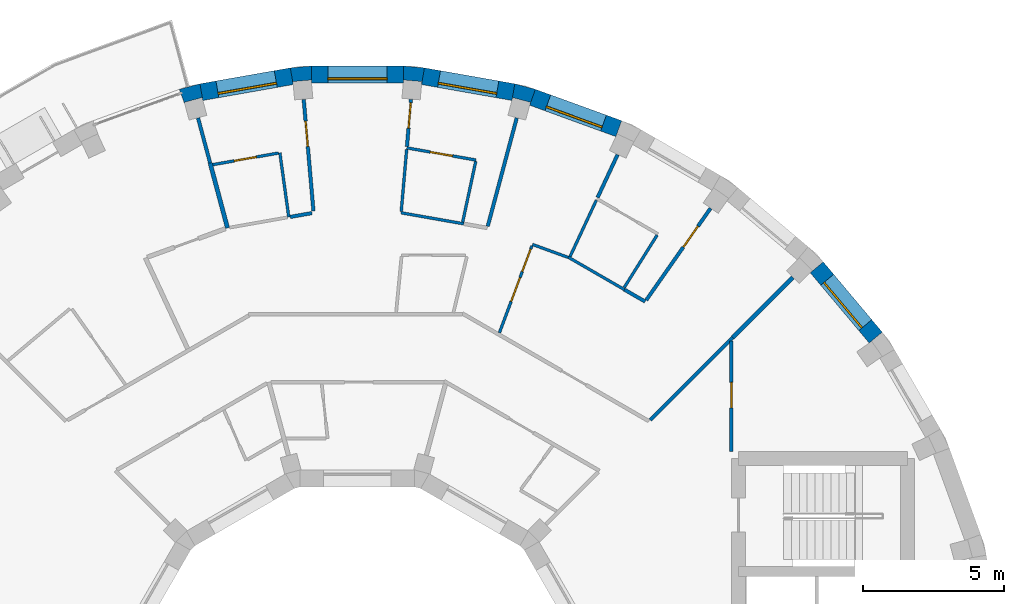
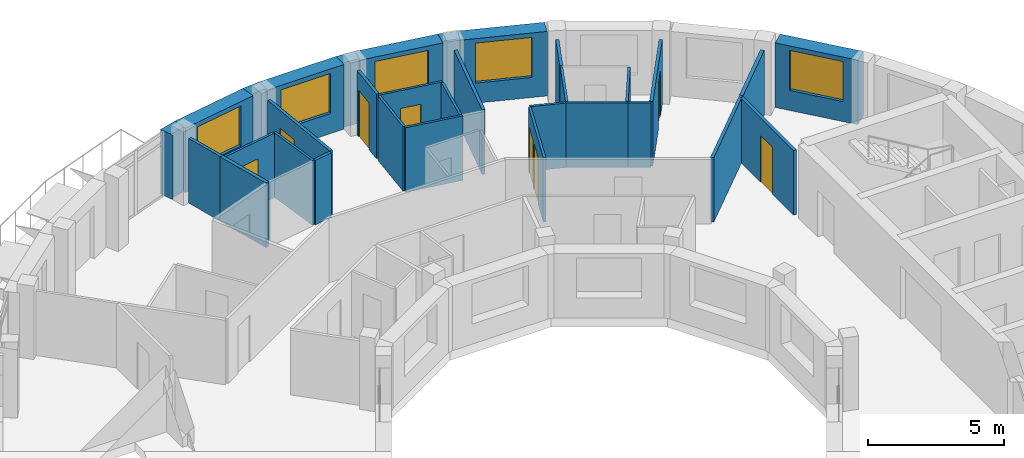
# One storey, part 10 of 12: 32 walls, 8 doors, 5 windows, 13 openings.
"""IFC4 building model written with IfcOpenShell, lengths in metres."""

from ifc_helpers import new_model, si_unit, direction, frame, frame_2d, origin, place, context, subcontext, project, spatial, polyline, rectangle, outline, extrude, material, layer, layer_set, type_object, element, fill, save


model = new_model("IFC4")

# Units and contexts
model_context = context("Model", 3, precision=1e-05, world=origin(), true_north=direction((0.0, 1.0)))
body_context = subcontext(model_context, "Body", "Model", "MODEL_VIEW")
ifc_project = project(units=[si_unit("LENGTHUNIT", "METRE"), si_unit("AREAUNIT", "SQUARE_METRE"), si_unit("VOLUMEUNIT", "CUBIC_METRE"), si_unit("PLANEANGLEUNIT", "RADIAN"), si_unit("MASSUNIT", "GRAM", prefix="KILO")], contexts=[model_context])

# Site, building, storey
site_placement = place(None, origin())
site = spatial("IfcSite", under=ifc_project, at=site_placement, CompositionType="ELEMENT")
building_placement = place(site_placement, origin())
building = spatial("IfcBuilding", under=site, at=building_placement, Name="Saqina Gate Tower", CompositionType="ELEMENT")
storey_placement = place(building_placement, frame((0.0, 0.0, 233.0)))
storey = spatial("IfcBuildingStorey", under=building, at=storey_placement, Name="L66", CompositionType="ELEMENT", Elevation=233.0)

# Walls
ifc_material_1 = material(Name="Brick masonry (buff)", Category="masonry")
wall_type_1 = type_object("IfcWallType", Name="BRICK PIER COPING BUFF", PredefinedType="SOLIDWALL", material=ifc_material_1)
wall_1_placement = place(storey_placement, origin())
element("IfcWall", 1, at=wall_1_placement, inside=storey, type_object=wall_type_1, Name="Pier cap L66 column 8", PredefinedType="SOLIDWALL", context=body_context, shape_type="SweptSolid", body=[
    extrude(outline(polyline([(5.579833984375, 22.281982421875), (5.4755859375, 21.691162109375), (5.5029296875, 21.793212890625), (6.130859375, 21.625), (6.103515625, 21.52294921875), (6.30859375, 22.0869140625), (5.579833984375, 22.281982421875)])), origin(), (0.0, 0.0, 1.0), 2.89990234375),
])
wall_2_placement = place(storey_placement, origin())
element("IfcWall", 2, at=wall_2_placement, inside=storey, type_object=wall_type_1, Name="Pier cap L66 column 9", PredefinedType="SOLIDWALL", context=body_context, shape_type="SweptSolid", body=[
    extrude(outline(polyline([(2.377685546875, 22.8466796875), (1.625732421875, 22.91259765625), (1.625732421875, 22.3125), (1.635009765625, 22.417724609375), (2.28271484375, 22.361083984375), (2.2734375, 22.255859375), (2.377685546875, 22.8466796875)])), origin(), (0.0, 0.0, 1.0), 2.89990234375),
])
wall_3_placement = place(storey_placement, origin())
element("IfcWall", 3, at=wall_3_placement, inside=storey, type_object=wall_type_1, Name="Pier cap L66 column 10", PredefinedType="SOLIDWALL", context=body_context, shape_type="SweptSolid", body=[
    extrude(outline(polyline([(-1.625732421875, 22.91259765625), (-2.377685546875, 22.8466796875), (-2.2734375, 22.255859375), (-2.28271484375, 22.361083984375), (-1.635009765625, 22.417724609375), (-1.625732421875, 22.3125), (-1.625732421875, 22.91259765625)])), origin(), (0.0, 0.0, 1.0), 2.89990234375),
])
wall_4_placement = place(storey_placement, origin())
element("IfcWall", 4, at=wall_4_placement, inside=storey, type_object=wall_type_1, Name="Pier cap L66 column 11", PredefinedType="SOLIDWALL", context=body_context, shape_type="SweptSolid", body=[
    extrude(outline(polyline([(-6.30859375, 22.0869140625), (-6.103515625, 21.52294921875), (-6.130859375, 21.625), (-5.5029296875, 21.793212890625), (-5.4755859375, 21.691162109375), (-5.579833984375, 22.281982421875), (-6.30859375, 22.0869140625)])), origin(), (0.0, 0.0, 1.0), 2.89990234375),
])

# Wall, opening, window
ifc_material_2 = material(Name="Brick masonry (buff)", Category="masonry")
ifc_layer_1 = layer(ifc_material_2, 0.60009765625)
ifc_layer_set_1 = layer_set([ifc_layer_1], Name="FW-BRICK-BUFF")
wall_type_2 = type_object("IfcWallType", Name="FW-BRICK-BUFF", PredefinedType="SOLIDWALL", material=ifc_layer_set_1)
wall_5_placement = place(storey_placement, frame((18.3671875, 13.28955078125, 0.0), z_axis=(0.0, 0.0, 1.0), x_axis=(-0.64277291405, 0.766056773982, 0.0)))
wall_5 = element("IfcWall", 5, at=wall_5_placement, inside=storey, type_object=wall_type_2, Name="Facade wall L66 facet 4", PredefinedType="SOLIDWALL", context=body_context, shape_type="SweptSolid", body=[
    extrude(rectangle(XDim=3.251708984375, YDim=0.60009765625, at=frame_2d((1.6259765625, 0.0))), origin(), (0.0, 0.0, 1.0), 2.89990234375),
])
opening_1_placement = place(wall_5_placement, frame((0.57568359375, 0.0, 0.89990234375)))
opening_1 = element("IfcOpeningElement", 6, at=opening_1_placement, cuts=wall_5, Name="Opening G19-W02", PredefinedType="OPENING", context=body_context, shape_type="SweptSolid", body=[
    extrude(rectangle(XDim=2.10009765625, YDim=1.800048828125, at=frame_2d((1.050048828125, 0.89990234375))), frame((0.0, 0.31201171875, 0.0), z_axis=(0.0, -1.0, 0.0), x_axis=(1.0, 0.0, 0.0)), (0.0, 0.0, 1.0), 0.6240234375),
])
ifc_material_3 = material(Name="Aluminium glazing", Category="aluminium")
window_type = type_object("IfcWindowType", Name="WN-D", PartitioningType="SINGLE_PANEL", PredefinedType="WINDOW", material=ifc_material_3)
window_1_placement = place(opening_1_placement, origin())
window_1 = element("IfcWindow", 7, at=window_1_placement, inside=storey, type_object=window_type, Name="Window L66 facet 4", OverallHeight=1.800048828125, OverallWidth=2.10009765625, PartitioningType="SINGLE_PANEL", PredefinedType="WINDOW", context=body_context, shape_type="SweptSolid", body=[
    extrude(rectangle(XDim=2.10009765625, YDim=1.800048828125, at=frame_2d((1.050048828125, 0.89990234375))), frame((0.0, 0.179931640625, 0.0), z_axis=(0.0, -1.0, 0.0), x_axis=(1.0, 0.0, 0.0)), (0.0, 0.0, 1.0), 0.06005859375),
])
fill(opening_1, window_1)

wall_6_placement = place(storey_placement, frame((9.26171875, 20.692626953125, 0.0), z_axis=(0.0, 0.0, 1.0), x_axis=(-0.939679383794, 0.342056509473, 0.0)))
wall_6 = element("IfcWall", 8, at=wall_6_placement, inside=storey, type_object=wall_type_2, Name="Facade wall L66 facet 7", PredefinedType="SOLIDWALL", context=body_context, shape_type="SweptSolid", body=[
    extrude(rectangle(XDim=3.251708984375, YDim=0.60009765625, at=frame_2d((1.6259765625, 0.0))), origin(), (0.0, 0.0, 1.0), 2.89990234375),
])
opening_2_placement = place(wall_6_placement, frame((0.57568359375, 0.0, 0.89990234375)))
opening_2 = element("IfcOpeningElement", 9, at=opening_2_placement, cuts=wall_6, Name="Opening G19-W05", PredefinedType="OPENING", context=body_context, shape_type="SweptSolid", body=[
    extrude(rectangle(XDim=2.10009765625, YDim=1.800048828125, at=frame_2d((1.050048828125, 0.89990234375))), frame((0.0, 0.31201171875, 0.0), z_axis=(0.0, -1.0, 0.0), x_axis=(1.0, 0.0, 0.0)), (0.0, 0.0, 1.0), 0.6240234375),
])
window_2_placement = place(opening_2_placement, origin())
window_2 = element("IfcWindow", 10, at=window_2_placement, inside=storey, type_object=window_type, Name="Window L66 facet 7", OverallHeight=1.800048828125, OverallWidth=2.10009765625, PartitioningType="SINGLE_PANEL", PredefinedType="WINDOW", context=body_context, shape_type="SweptSolid", body=[
    extrude(rectangle(XDim=2.10009765625, YDim=1.800048828125, at=frame_2d((1.050048828125, 0.89990234375))), frame((0.0, 0.179931640625, 0.0), z_axis=(0.0, -1.0, 0.0), x_axis=(1.0, 0.0, 0.0)), (0.0, 0.0, 1.0), 0.06005859375),
])
fill(opening_2, window_2)

wall_7_placement = place(storey_placement, frame((5.52783203125, 21.986572265625, 0.0), z_axis=(0.0, 0.0, 1.0), x_axis=(-0.984806225186, 0.173656842178, 0.0)))
wall_7 = element("IfcWall", 11, at=wall_7_placement, inside=storey, type_object=wall_type_2, Name="Facade wall L66 facet 8", PredefinedType="SOLIDWALL", context=body_context, shape_type="SweptSolid", body=[
    extrude(rectangle(XDim=3.251708984375, YDim=0.60009765625, at=frame_2d((1.6259765625, 0.0))), origin(), (0.0, 0.0, 1.0), 2.89990234375),
])
opening_3_placement = place(wall_7_placement, frame((0.57568359375, 0.0, 0.89990234375)))
opening_3 = element("IfcOpeningElement", 12, at=opening_3_placement, cuts=wall_7, Name="Opening G19-W06", PredefinedType="OPENING", context=body_context, shape_type="SweptSolid", body=[
    extrude(rectangle(XDim=2.10009765625, YDim=1.800048828125, at=frame_2d((1.050048828125, 0.89990234375))), frame((0.0, 0.31201171875, 0.0), z_axis=(0.0, -1.0, 0.0), x_axis=(1.0, 0.0, 0.0)), (0.0, 0.0, 1.0), 0.6240234375),
])
window_3_placement = place(opening_3_placement, origin())
window_3 = element("IfcWindow", 13, at=window_3_placement, inside=storey, type_object=window_type, Name="Window L66 facet 8", OverallHeight=1.800048828125, OverallWidth=2.10009765625, PartitioningType="SINGLE_PANEL", PredefinedType="WINDOW", context=body_context, shape_type="SweptSolid", body=[
    extrude(rectangle(XDim=2.10009765625, YDim=1.800048828125, at=frame_2d((1.050048828125, 0.89990234375))), frame((0.0, 0.179931640625, 0.0), z_axis=(0.0, -1.0, 0.0), x_axis=(1.0, 0.0, 0.0)), (0.0, 0.0, 1.0), 0.06005859375),
])
fill(opening_3, window_3)

wall_8_placement = place(storey_placement, frame((1.625732421875, 22.612548828125, 0.0), z_axis=(0.0, 0.0, 1.0), x_axis=(-1.0, 0.0, 0.0)))
wall_8 = element("IfcWall", 14, at=wall_8_placement, inside=storey, type_object=wall_type_2, Name="Facade wall L66 facet 9", PredefinedType="SOLIDWALL", context=body_context, shape_type="SweptSolid", body=[
    extrude(rectangle(XDim=3.25146484375, YDim=0.60009765625, at=frame_2d((1.625732421875, 0.0))), origin(), (0.0, 0.0, 1.0), 2.89990234375),
])
opening_4_placement = place(wall_8_placement, frame((0.57568359375, 0.0, 0.89990234375)))
opening_4 = element("IfcOpeningElement", 15, at=opening_4_placement, cuts=wall_8, Name="Opening G19-W07", PredefinedType="OPENING", context=body_context, shape_type="SweptSolid", body=[
    extrude(rectangle(XDim=2.10009765625, YDim=1.800048828125, at=frame_2d((1.050048828125, 0.89990234375))), frame((0.0, 0.31201171875, 0.0), z_axis=(0.0, -1.0, 0.0), x_axis=(1.0, 0.0, 0.0)), (0.0, 0.0, 1.0), 0.6240234375),
])
window_4_placement = place(opening_4_placement, origin())
window_4 = element("IfcWindow", 16, at=window_4_placement, inside=storey, type_object=window_type, Name="Window L66 facet 9", OverallHeight=1.800048828125, OverallWidth=2.10009765625, PartitioningType="SINGLE_PANEL", PredefinedType="WINDOW", context=body_context, shape_type="SweptSolid", body=[
    extrude(rectangle(XDim=2.10009765625, YDim=1.800048828125, at=frame_2d((1.050048828125, 0.89990234375))), frame((0.0, 0.179931640625, 0.0), z_axis=(0.0, -1.0, 0.0), x_axis=(1.0, 0.0, 0.0)), (0.0, 0.0, 1.0), 0.06005859375),
])
fill(opening_4, window_4)

wall_9_placement = place(storey_placement, frame((-2.325439453125, 22.55126953125, 0.0), z_axis=(0.0, 0.0, 1.0), x_axis=(-0.984806225186, -0.173656842178, 0.0)))
wall_9 = element("IfcWall", 17, at=wall_9_placement, inside=storey, type_object=wall_type_2, Name="Facade wall L66 facet 10", PredefinedType="SOLIDWALL", context=body_context, shape_type="SweptSolid", body=[
    extrude(rectangle(XDim=3.251708984375, YDim=0.60009765625, at=frame_2d((1.6259765625, 0.0))), origin(), (0.0, 0.0, 1.0), 2.89990234375),
])
opening_5_placement = place(wall_9_placement, frame((0.57568359375, 0.0, 0.89990234375)))
opening_5 = element("IfcOpeningElement", 18, at=opening_5_placement, cuts=wall_9, Name="Opening G19-W08", PredefinedType="OPENING", context=body_context, shape_type="SweptSolid", body=[
    extrude(rectangle(XDim=2.10009765625, YDim=1.800048828125, at=frame_2d((1.050048828125, 0.89990234375))), frame((0.0, 0.31201171875, 0.0), z_axis=(0.0, -1.0, 0.0), x_axis=(1.0, 0.0, 0.0)), (0.0, 0.0, 1.0), 0.6240234375),
])
window_5_placement = place(opening_5_placement, origin())
window_5 = element("IfcWindow", 19, at=window_5_placement, inside=storey, type_object=window_type, Name="Window L66 facet 10", OverallHeight=1.800048828125, OverallWidth=2.10009765625, PartitioningType="SINGLE_PANEL", PredefinedType="WINDOW", context=body_context, shape_type="SweptSolid", body=[
    extrude(rectangle(XDim=2.10009765625, YDim=1.800048828125, at=frame_2d((1.050048828125, 0.89990234375))), frame((0.0, 0.179931640625, 0.0), z_axis=(0.0, -1.0, 0.0), x_axis=(1.0, 0.0, 0.0)), (0.0, 0.0, 1.0), 0.06005859375),
])
fill(opening_5, window_5)

# Walls
ifc_material_4 = material(Name="Gypsum board on steel studs, 100 mm", Category="steel")
ifc_layer_2 = layer(ifc_material_4, 0.10009765625)
ifc_layer_set_2 = layer_set([ifc_layer_2], Name="PARTITION 100")
wall_type_3 = type_object("IfcWallType", Name="PARTITION 100", PredefinedType="PARTITIONING", material=ifc_layer_set_2)
wall_10_placement = place(storey_placement, frame((-2.7470703125, 19.8369140625, 0.0), z_axis=(0.0, 0.0, 1.0), x_axis=(0.137351585164, -0.990522358179, 0.0)))
element("IfcWall", 20, at=wall_10_placement, inside=storey, type_object=wall_type_3, Name="PARTITION PW3-02", PredefinedType="PARTITIONING", context=body_context, shape_type="SweptSolid", body=[
    extrude(rectangle(XDim=2.3017578125, YDim=0.10009765625, at=frame_2d((1.15087890625, 0.0))), origin(), (0.0, 0.0, 1.0), 2.89990234375),
])
wall_11_placement = place(storey_placement, frame((7.469970703125, 16.139404296875, 0.0), z_axis=(0.0, 0.0, 1.0), x_axis=(0.866070948836, -0.499921105357, 0.0)))
element("IfcWall", 21, at=wall_11_placement, inside=storey, type_object=wall_type_3, Name="PARTITION PW3-18", PredefinedType="PARTITIONING", context=body_context, shape_type="SweptSolid", body=[
    extrude(rectangle(XDim=2.304931640625, YDim=0.10009765625, at=frame_2d((1.15234375, 0.0))), origin(), (0.0, 0.0, 1.0), 2.89990234375),
])
wall_12_placement = place(storey_placement, frame((6.2041015625, 16.591064453125, 0.0), z_axis=(0.0, 0.0, 1.0), x_axis=(0.939623600186, -0.342209716364, 0.0)))
element("IfcWall", 22, at=wall_12_placement, inside=storey, type_object=wall_type_3, Name="PARTITION PW3-20", PredefinedType="PARTITIONING", context=body_context, shape_type="SweptSolid", body=[
    extrude(rectangle(XDim=1.343994140625, YDim=0.10009765625, at=frame_2d((0.671875, 0.0))), origin(), (0.0, 0.0, 1.0), 2.89990234375),
])
wall_13_placement = place(storey_placement, frame((1.550048828125, 17.7119140625, 0.0), z_axis=(0.0, 0.0, 1.0), x_axis=(0.984859814572, -0.173352662631, 0.0)))
element("IfcWall", 23, at=wall_13_placement, inside=storey, type_object=wall_type_3, Name="PARTITION PW3-23", PredefinedType="PARTITIONING", context=body_context, shape_type="SweptSolid", body=[
    extrude(rectangle(XDim=2.25341796875, YDim=0.10009765625, at=frame_2d((1.126708984375, 0.0))), origin(), (0.0, 0.0, 1.0), 2.89990234375),
])

# Wall, opening, door
wall_14_placement = place(storey_placement, frame((1.7509765625, 20.011962890625, 0.0), z_axis=(0.0, 0.0, 1.0), x_axis=(0.984838792384, -0.173472052547, 0.0)))
wall_14 = element("IfcWall", 24, at=wall_14_placement, inside=storey, type_object=wall_type_3, Name="PARTITION PW3-24", PredefinedType="PARTITIONING", context=body_context, shape_type="SweptSolid", body=[
    extrude(rectangle(XDim=2.48974609375, YDim=0.10009765625, at=frame_2d((1.244873046875, 0.0))), origin(), (0.0, 0.0, 1.0), 2.89990234375),
])
opening_6_placement = place(wall_14_placement, frame((0.844970703125, 0.0, 0.0)))
opening_6 = element("IfcOpeningElement", 25, at=opening_6_placement, cuts=wall_14, Name="Opening G19-D09", PredefinedType="OPENING", context=body_context, shape_type="SweptSolid", body=[
    extrude(rectangle(XDim=0.800048828125, YDim=2.10009765625, at=frame_2d((0.39990234375, 1.050048828125))), frame((0.0, 0.06201171875, 0.0), z_axis=(0.0, -1.0, 0.0), x_axis=(1.0, 0.0, 0.0)), (0.0, 0.0, 1.0), 0.1240234375),
])
ifc_material_5 = material(Name="Timber door leaf, 800 mm", Category="wood")
door_type_1 = type_object("IfcDoorType", Name="DOOR 800 TIMBER", OperationType="SINGLE_SWING_LEFT", PredefinedType="DOOR", material=ifc_material_5)
door_1_placement = place(opening_6_placement, origin())
door_1 = element("IfcDoor", 26, at=door_1_placement, inside=storey, type_object=door_type_1, Name="DOOR G19-D09", OperationType="SINGLE_SWING_RIGHT", OverallHeight=2.10009765625, OverallWidth=0.800048828125, PredefinedType="DOOR", context=body_context, shape_type="SweptSolid", body=[
    extrude(rectangle(XDim=0.800048828125, YDim=2.10009765625, at=frame_2d((0.39990234375, 1.050048828125))), frame((0.0, 0.02490234375, 0.0), z_axis=(0.0, -1.0, 0.0), x_axis=(1.0, 0.0, 0.0)), (0.0, 0.0, 1.0), 0.050048828125),
])
fill(opening_6, door_1)

wall_15_placement = place(storey_placement, frame((-5.125244140625, 19.4169921875, 0.0), z_axis=(0.0, 0.0, 1.0), x_axis=(0.984757568604, 0.173932547494, 0.0)))
wall_15 = element("IfcWall", 27, at=wall_15_placement, inside=storey, type_object=wall_type_3, Name="PARTITION PW3-30", PredefinedType="PARTITIONING", context=body_context, shape_type="SweptSolid", body=[
    extrude(rectangle(XDim=2.365234375, YDim=0.10009765625, at=frame_2d((1.1826171875, 0.0))), origin(), (0.0, 0.0, 1.0), 2.89990234375),
])
opening_7_placement = place(wall_15_placement, frame((0.77001953125, 0.0, 0.0)))
opening_7 = element("IfcOpeningElement", 28, at=opening_7_placement, cuts=wall_15, Name="Opening G19-D15", PredefinedType="OPENING", context=body_context, shape_type="SweptSolid", body=[
    extrude(rectangle(XDim=0.800048828125, YDim=2.10009765625, at=frame_2d((0.39990234375, 1.050048828125))), frame((0.0, 0.06201171875, 0.0), z_axis=(0.0, -1.0, 0.0), x_axis=(1.0, 0.0, 0.0)), (0.0, 0.0, 1.0), 0.1240234375),
])
door_2_placement = place(opening_7_placement, origin())
door_2 = element("IfcDoor", 29, at=door_2_placement, inside=storey, type_object=door_type_1, Name="DOOR G19-D15", OperationType="SINGLE_SWING_LEFT", OverallHeight=2.10009765625, OverallWidth=0.800048828125, PredefinedType="DOOR", context=body_context, shape_type="SweptSolid", body=[
    extrude(rectangle(XDim=0.800048828125, YDim=2.10009765625, at=frame_2d((0.39990234375, 1.050048828125))), frame((0.0, 0.02490234375, 0.0), z_axis=(0.0, -1.0, 0.0), x_axis=(1.0, 0.0, 0.0)), (0.0, 0.0, 1.0), 0.050048828125),
])
fill(opening_7, door_2)

# Walls
wall_16_placement = place(storey_placement, frame((9.456298828125, 15.06494140625, 0.0), z_axis=(0.0, 0.0, 1.0), x_axis=(0.531591455813, 0.847000899708, 0.0)))
element("IfcWall", 30, at=wall_16_placement, inside=storey, type_object=wall_type_3, Name="PARTITION PW3-41", PredefinedType="PARTITIONING", context=body_context, shape_type="SweptSolid", body=[
    extrude(rectangle(XDim=2.189697265625, YDim=0.10009765625, at=frame_2d((1.0947265625, 0.0))), origin(), (0.0, 0.0, 1.0), 2.89990234375),
])
wall_17_placement = place(storey_placement, frame((7.53515625, 16.159423828125, 0.0), z_axis=(0.0, 0.0, 1.0), x_axis=(0.422601095784, 0.906315791456, 0.0)))
element("IfcWall", 31, at=wall_17_placement, inside=storey, type_object=wall_type_3, Name="PARTITION PW3-44", PredefinedType="PARTITIONING", context=body_context, shape_type="SweptSolid", body=[
    extrude(rectangle(XDim=2.209228515625, YDim=0.10009765625, at=frame_2d((1.1044921875, 0.0))), origin(), (0.0, 0.0, 1.0), 2.89990234375),
])

# Wall, openings, doors
wall_18_placement = place(storey_placement, frame((5.031982421875, 13.45947265625, 0.0), z_axis=(0.0, 0.0, 1.0), x_axis=(0.350375066682, 0.936609477129, 0.0)))
wall_18 = element("IfcWall", 32, at=wall_18_placement, inside=storey, type_object=wall_type_3, Name="PARTITION PW3-47", PredefinedType="PARTITIONING", context=body_context, shape_type="SweptSolid", body=[
    extrude(rectangle(XDim=3.28955078125, YDim=0.10009765625, at=frame_2d((1.644775390625, 0.0))), origin(), (0.0, 0.0, 1.0), 2.89990234375),
])
opening_8_placement = place(wall_18_placement, frame((1.188720703125, 0.0, 0.0)))
opening_8 = element("IfcOpeningElement", 33, at=opening_8_placement, cuts=wall_18, Name="Opening G19-D07", PredefinedType="OPENING", context=body_context, shape_type="SweptSolid", body=[
    extrude(rectangle(XDim=0.89990234375, YDim=2.10009765625, at=frame_2d((0.449951171875, 1.050048828125))), frame((0.0, 0.06201171875, 0.0), z_axis=(0.0, -1.0, 0.0), x_axis=(1.0, 0.0, 0.0)), (0.0, 0.0, 1.0), 0.1240234375),
])
opening_9_placement = place(wall_18_placement, frame((2.313720703125, 0.0, 0.0)))
opening_9 = element("IfcOpeningElement", 34, at=opening_9_placement, cuts=wall_18, Name="Opening G19-D08", PredefinedType="OPENING", context=body_context, shape_type="SweptSolid", body=[
    extrude(rectangle(XDim=0.85009765625, YDim=2.10009765625, at=frame_2d((0.425048828125, 1.050048828125))), frame((0.0, 0.06201171875, 0.0), z_axis=(0.0, -1.0, 0.0), x_axis=(1.0, 0.0, 0.0)), (0.0, 0.0, 1.0), 0.1240234375),
])
ifc_material_6 = material(Name="Timber door leaf, 850 mm", Category="wood")
door_type_2 = type_object("IfcDoorType", Name="DOOR 850 TIMBER", OperationType="SINGLE_SWING_LEFT", PredefinedType="DOOR", material=ifc_material_6)
door_3_placement = place(opening_9_placement, origin())
door_3 = element("IfcDoor", 35, at=door_3_placement, inside=storey, type_object=door_type_2, Name="DOOR G19-D08", OperationType="SINGLE_SWING_RIGHT", OverallHeight=2.10009765625, OverallWidth=0.85009765625, PredefinedType="DOOR", context=body_context, shape_type="SweptSolid", body=[
    extrude(rectangle(XDim=0.85009765625, YDim=2.10009765625, at=frame_2d((0.425048828125, 1.050048828125))), frame((0.0, 0.02490234375, 0.0), z_axis=(0.0, -1.0, 0.0), x_axis=(1.0, 0.0, 0.0)), (0.0, 0.0, 1.0), 0.050048828125),
])
fill(opening_9, door_3)
ifc_material_7 = material(Name="Timber door leaf, 900 mm", Category="wood")
door_type_3 = type_object("IfcDoorType", Name="DOOR 900 TIMBER", OperationType="SINGLE_SWING_LEFT", PredefinedType="DOOR", material=ifc_material_7)
door_4_placement = place(opening_8_placement, origin())
door_4 = element("IfcDoor", 36, at=door_4_placement, inside=storey, type_object=door_type_3, Name="DOOR G19-D07", OperationType="SINGLE_SWING_LEFT", OverallHeight=2.10009765625, OverallWidth=0.89990234375, PredefinedType="DOOR", context=body_context, shape_type="SweptSolid", body=[
    extrude(rectangle(XDim=0.89990234375, YDim=2.10009765625, at=frame_2d((0.449951171875, 1.050048828125))), frame((0.0, 0.02490234375, 0.0), z_axis=(0.0, -1.0, 0.0), x_axis=(1.0, 0.0, 0.0)), (0.0, 0.0, 1.0), 0.050048828125),
])
fill(opening_8, door_4)

# Walls
wall_19_placement = place(storey_placement, frame((3.73046875, 17.37890625, 0.0), z_axis=(0.0, 0.0, 1.0), x_axis=(0.209960822615, 0.977709799975, 0.0)))
element("IfcWall", 37, at=wall_19_placement, inside=storey, type_object=wall_type_3, Name="PARTITION PW3-51", PredefinedType="PARTITIONING", context=body_context, shape_type="SweptSolid", body=[
    extrude(rectangle(XDim=2.201171875, YDim=0.10009765625, at=frame_2d((1.1005859375, 0.0))), origin(), (0.0, 0.0, 1.0), 2.89990234375),
])
wall_20_placement = place(storey_placement, frame((1.554443359375, 17.7626953125, 0.0), z_axis=(0.0, 0.0, 1.0), x_axis=(0.087075900377, 0.99620168017, 0.0)))
element("IfcWall", 38, at=wall_20_placement, inside=storey, type_object=wall_type_3, Name="PARTITION PW3-55", PredefinedType="PARTITIONING", context=body_context, shape_type="SweptSolid", body=[
    extrude(rectangle(XDim=2.1953125, YDim=0.10009765625, at=frame_2d((1.09765625, 0.0))), origin(), (0.0, 0.0, 1.0), 2.89990234375),
])

# Wall, opening, door
ifc_material_8 = material(Name="Gypsum board on steel studs, 125 mm, fire rated", Category="steel")
ifc_layer_3 = layer(ifc_material_8, 0.125)
ifc_layer_set_3 = layer_set([ifc_layer_3], Name="PARTITION EI 30 125")
wall_type_4 = type_object("IfcWallType", Name="PARTITION EI 30 125", PredefinedType="PARTITIONING", material=ifc_layer_set_3)
wall_21_placement = place(storey_placement, frame((-1.901611328125, 21.73193359375, 0.0), z_axis=(0.0, 0.0, 1.0), x_axis=(0.086672056797, -0.996236896813, 0.0)))
wall_21 = element("IfcWall", 39, at=wall_21_placement, inside=storey, type_object=wall_type_4, Name="PARTITION PW1-01", PredefinedType="PARTITIONING", context=body_context, shape_type="SweptSolid", body=[
    extrude(rectangle(XDim=3.9716796875, YDim=0.125, at=frame_2d((1.98583984375, 0.0))), origin(), (0.0, 0.0, 1.0), 2.89990234375),
])
opening_10_placement = place(wall_21_placement, frame((0.775390625, 0.0, 0.0)))
opening_10 = element("IfcOpeningElement", 40, at=opening_10_placement, cuts=wall_21, Name="Opening G19-D13", PredefinedType="OPENING", context=body_context, shape_type="SweptSolid", body=[
    extrude(rectangle(XDim=0.89990234375, YDim=2.10009765625, at=frame_2d((0.449951171875, 1.050048828125))), frame((0.0, 0.074462890625, 0.0), z_axis=(0.0, -1.0, 0.0), x_axis=(1.0, 0.0, 0.0)), (0.0, 0.0, 1.0), 0.14892578125),
])
ifc_material_9 = material(Name="Fire door leaf EI 30, 900 mm")
door_type_4 = type_object("IfcDoorType", Name="DOOR 900 EI 30", OperationType="SINGLE_SWING_LEFT", PredefinedType="DOOR", material=ifc_material_9)
door_5_placement = place(opening_10_placement, origin())
door_5 = element("IfcDoor", 41, at=door_5_placement, inside=storey, type_object=door_type_4, Name="DOOR G19-D13", OperationType="SINGLE_SWING_LEFT", OverallHeight=2.10009765625, OverallWidth=0.89990234375, PredefinedType="DOOR", context=body_context, shape_type="SweptSolid", body=[
    extrude(rectangle(XDim=0.89990234375, YDim=2.10009765625, at=frame_2d((0.449951171875, 1.050048828125))), frame((0.0, 0.02490234375, 0.0), z_axis=(0.0, -1.0, 0.0), x_axis=(1.0, 0.0, 0.0)), (0.0, 0.0, 1.0), 0.050048828125),
])
fill(opening_10, door_5)

# Walls
wall_22_placement = place(storey_placement, frame((-5.64599609375, 21.07177734375, 0.0), z_axis=(0.0, 0.0, 1.0), x_axis=(0.258849385643, -0.965917696055, 0.0)))
element("IfcWall", 42, at=wall_22_placement, inside=storey, type_object=wall_type_4, Name="PARTITION PW1-02", PredefinedType="PARTITIONING", context=body_context, shape_type="SweptSolid", body=[
    extrude(rectangle(XDim=1.651611328125, YDim=0.125, at=frame_2d((0.82568359375, 0.0))), origin(), (0.0, 0.0, 1.0), 2.89990234375),
])
wall_23_placement = place(storey_placement, frame((9.46630859375, 14.987060546875, 0.0), z_axis=(0.0, 0.0, 1.0), x_axis=(0.866185586049, -0.49972245349, 0.0)))
element("IfcWall", 43, at=wall_23_placement, inside=storey, type_object=wall_type_4, Name="PARTITION PW1-13", PredefinedType="PARTITIONING", context=body_context, shape_type="SweptSolid", body=[
    extrude(rectangle(XDim=0.8427734375, YDim=0.125, at=frame_2d((0.42138671875, 0.0))), origin(), (0.0, 0.0, 1.0), 2.89990234375),
])
wall_24_placement = place(storey_placement, frame((-2.3818359375, 17.565673828125, 0.0), z_axis=(0.0, 0.0, 1.0), x_axis=(0.984877691651, 0.173251067786, 0.0)))
element("IfcWall", 44, at=wall_24_placement, inside=storey, type_object=wall_type_4, Name="PARTITION PW1-22", PredefinedType="PARTITIONING", context=body_context, shape_type="SweptSolid", body=[
    extrude(rectangle(XDim=0.781982421875, YDim=0.125, at=frame_2d((0.39111328125, 0.0))), origin(), (0.0, 0.0, 1.0), 2.89990234375),
])
wall_25_placement = place(storey_placement, frame((10.373291015625, 10.373291015625, 0.0), z_axis=(0.0, 0.0, 1.0), x_axis=(0.707106781187, 0.707106781187, 0.0)))
element("IfcWall", 45, at=wall_25_placement, inside=storey, type_object=wall_type_4, Name="PARTITION PW1-32", PredefinedType="PARTITIONING", context=body_context, shape_type="SweptSolid", body=[
    extrude(rectangle(XDim=4.130859375, YDim=0.125, at=frame_2d((2.0654296875, 0.0))), origin(), (0.0, 0.0, 1.0), 2.89990234375),
])

# Wall, opening, door
wall_26_placement = place(storey_placement, frame((10.23388671875, 14.6162109375, 0.0), z_axis=(0.0, 0.0, 1.0), x_axis=(0.573631457717, 0.81911351516, 0.0)))
wall_26 = element("IfcWall", 46, at=wall_26_placement, inside=storey, type_object=wall_type_4, Name="PARTITION PW1-34", PredefinedType="PARTITIONING", context=body_context, shape_type="SweptSolid", body=[
    extrude(rectangle(XDim=3.97216796875, YDim=0.125, at=frame_2d((1.986083984375, 0.0))), origin(), (0.0, 0.0, 1.0), 2.89990234375),
])
opening_11_placement = place(wall_26_placement, frame((2.2958984375, 0.0, 0.0)))
opening_11 = element("IfcOpeningElement", 47, at=opening_11_placement, cuts=wall_26, Name="Opening G19-D03", PredefinedType="OPENING", context=body_context, shape_type="SweptSolid", body=[
    extrude(rectangle(XDim=0.89990234375, YDim=2.10009765625, at=frame_2d((0.449951171875, 1.050048828125))), frame((0.0, 0.074462890625, 0.0), z_axis=(0.0, -1.0, 0.0), x_axis=(1.0, 0.0, 0.0)), (0.0, 0.0, 1.0), 0.14892578125),
])
door_6_placement = place(opening_11_placement, frame((0.89990234375, 0.0, 0.0), z_axis=(0.0, 0.0, 1.0), x_axis=(-1.0, 0.0, 0.0)))
door_6 = element("IfcDoor", 48, at=door_6_placement, inside=storey, type_object=door_type_4, Name="DOOR G19-D03", OperationType="SINGLE_SWING_LEFT", OverallHeight=2.10009765625, OverallWidth=0.89990234375, PredefinedType="DOOR", context=body_context, shape_type="SweptSolid", body=[
    extrude(rectangle(XDim=0.89990234375, YDim=2.10009765625, at=frame_2d((0.449951171875, 1.050048828125))), frame((0.0, 0.02490234375, 0.0), z_axis=(0.0, -1.0, 0.0), x_axis=(1.0, 0.0, 0.0)), (0.0, 0.0, 1.0), 0.050048828125),
])
fill(opening_11, door_6)

# Walls
wall_27_placement = place(storey_placement, frame((8.51123046875, 18.252197265625, 0.0), z_axis=(0.0, 0.0, 1.0), x_axis=(0.422749886817, 0.906246397618, 0.0)))
element("IfcWall", 49, at=wall_27_placement, inside=storey, type_object=wall_type_4, Name="PARTITION PW1-36", PredefinedType="PARTITIONING", context=body_context, shape_type="SweptSolid", body=[
    extrude(rectangle(XDim=1.676025390625, YDim=0.125, at=frame_2d((0.837890625, 0.0))), origin(), (0.0, 0.0, 1.0), 2.89990234375),
])
wall_28_placement = place(storey_placement, frame((4.619140625, 17.234130859375, 0.0), z_axis=(0.0, 0.0, 1.0), x_axis=(0.258553809463, 0.965996856937, 0.0)))
element("IfcWall", 50, at=wall_28_placement, inside=storey, type_object=wall_type_4, Name="PARTITION PW1-38", PredefinedType="PARTITIONING", context=body_context, shape_type="SweptSolid", body=[
    extrude(rectangle(XDim=3.972412109375, YDim=0.125, at=frame_2d((1.986328125, 0.0))), origin(), (0.0, 0.0, 1.0), 2.89990234375),
])

# Wall, opening, door
wall_29_placement = place(storey_placement, frame((1.75634765625, 20.061767578125, 0.0), z_axis=(0.0, 0.0, 1.0), x_axis=(0.086648468713, 0.996238948681, 0.0)))
wall_29 = element("IfcWall", 51, at=wall_29_placement, inside=storey, type_object=wall_type_4, Name="PARTITION PW1-39", PredefinedType="PARTITIONING", context=body_context, shape_type="SweptSolid", body=[
    extrude(rectangle(XDim=1.676513671875, YDim=0.125, at=frame_2d((0.83837890625, 0.0))), origin(), (0.0, 0.0, 1.0), 2.89990234375),
])
opening_12_placement = place(wall_29_placement, frame((0.654296875, 0.0, 0.0)))
opening_12 = element("IfcOpeningElement", 52, at=opening_12_placement, cuts=wall_29, Name="Opening G19-D11", PredefinedType="OPENING", context=body_context, shape_type="SweptSolid", body=[
    extrude(rectangle(XDim=0.89990234375, YDim=2.10009765625, at=frame_2d((0.449951171875, 1.050048828125))), frame((0.0, 0.074462890625, 0.0), z_axis=(0.0, -1.0, 0.0), x_axis=(1.0, 0.0, 0.0)), (0.0, 0.0, 1.0), 0.14892578125),
])
door_7_placement = place(opening_12_placement, origin())
door_7 = element("IfcDoor", 53, at=door_7_placement, inside=storey, type_object=door_type_4, Name="DOOR G19-D11", OperationType="SINGLE_SWING_RIGHT", OverallHeight=2.10009765625, OverallWidth=0.89990234375, PredefinedType="DOOR", context=body_context, shape_type="SweptSolid", body=[
    extrude(rectangle(XDim=0.89990234375, YDim=2.10009765625, at=frame_2d((0.449951171875, 1.050048828125))), frame((0.0, 0.02490234375, 0.0), z_axis=(0.0, -1.0, 0.0), x_axis=(1.0, 0.0, 0.0)), (0.0, 0.0, 1.0), 0.050048828125),
])
fill(opening_12, door_7)

wall_30_placement = place(storey_placement, frame((13.25, 9.25, 0.0), z_axis=(0.0, 0.0, 1.0), x_axis=(0.0, 1.0, 0.0)))
wall_30 = element("IfcWall", 54, at=wall_30_placement, inside=storey, type_object=wall_type_4, Name="PARTITION PW1-41", PredefinedType="PARTITIONING", context=body_context, shape_type="SweptSolid", body=[
    extrude(rectangle(XDim=3.925048828125, YDim=0.125, at=frame_2d((1.96240234375, 0.0))), origin(), (0.0, 0.0, 1.0), 2.89990234375),
])
opening_13_placement = place(wall_30_placement, frame((1.550048828125, 0.0, 0.0)))
opening_13 = element("IfcOpeningElement", 55, at=opening_13_placement, cuts=wall_30, Name="Opening G19-D01", PredefinedType="OPENING", context=body_context, shape_type="SweptSolid", body=[
    extrude(rectangle(XDim=0.89990234375, YDim=2.10009765625, at=frame_2d((0.449951171875, 1.050048828125))), frame((0.0, 0.074462890625, 0.0), z_axis=(0.0, -1.0, 0.0), x_axis=(1.0, 0.0, 0.0)), (0.0, 0.0, 1.0), 0.14892578125),
])
door_8_placement = place(opening_13_placement, frame((0.89990234375, 0.0, 0.0), z_axis=(0.0, 0.0, 1.0), x_axis=(-1.0, 0.0, 0.0)))
door_8 = element("IfcDoor", 56, at=door_8_placement, inside=storey, type_object=door_type_4, Name="DOOR G19-D01", OperationType="SINGLE_SWING_LEFT", OverallHeight=2.10009765625, OverallWidth=0.89990234375, PredefinedType="DOOR", context=body_context, shape_type="SweptSolid", body=[
    extrude(rectangle(XDim=0.89990234375, YDim=2.10009765625, at=frame_2d((0.449951171875, 1.050048828125))), frame((0.0, 0.02490234375, 0.0), z_axis=(0.0, -1.0, 0.0), x_axis=(1.0, 0.0, 0.0)), (0.0, 0.0, 1.0), 0.050048828125),
])
fill(opening_13, door_8)

# Walls
ifc_material_10 = material(Name="Gypsum board on steel studs, 150 mm, fire rated", Category="steel")
ifc_layer_4 = layer(ifc_material_10, 0.14990234375)
ifc_layer_set_4 = layer_set([ifc_layer_4], Name="PARTITION EI 60 150")
wall_type_5 = type_object("IfcWallType", Name="PARTITION EI 60 150", PredefinedType="PARTITIONING", material=ifc_layer_set_4)
wall_31_placement = place(storey_placement, frame((-5.218505859375, 19.4765625, 0.0), z_axis=(0.0, 0.0, 1.0), x_axis=(0.258503998493, -0.966010187712, 0.0)))
element("IfcWall", 57, at=wall_31_placement, inside=storey, type_object=wall_type_5, Name="PARTITION PW2-02", PredefinedType="PARTITIONING", context=body_context, shape_type="SweptSolid", body=[
    extrude(rectangle(XDim=2.3837890625, YDim=0.14990234375, at=frame_2d((1.19189453125, 0.0))), origin(), (0.0, 0.0, 1.0), 2.89990234375),
])
wall_32_placement = place(storey_placement, frame((13.294189453125, 13.294189453125, 0.0), z_axis=(0.0, 0.0, 1.0), x_axis=(0.707106781187, 0.707106781187, 0.0)))
element("IfcWall", 58, at=wall_32_placement, inside=storey, type_object=wall_type_5, Name="PARTITION PW2-08", PredefinedType="PARTITIONING", context=body_context, shape_type="SweptSolid", body=[
    extrude(rectangle(XDim=3.01416015625, YDim=0.14990234375, at=frame_2d((1.507080078125, 0.0))), origin(), (0.0, 0.0, 1.0), 2.89990234375),
])

save(model, "model.ifc")
